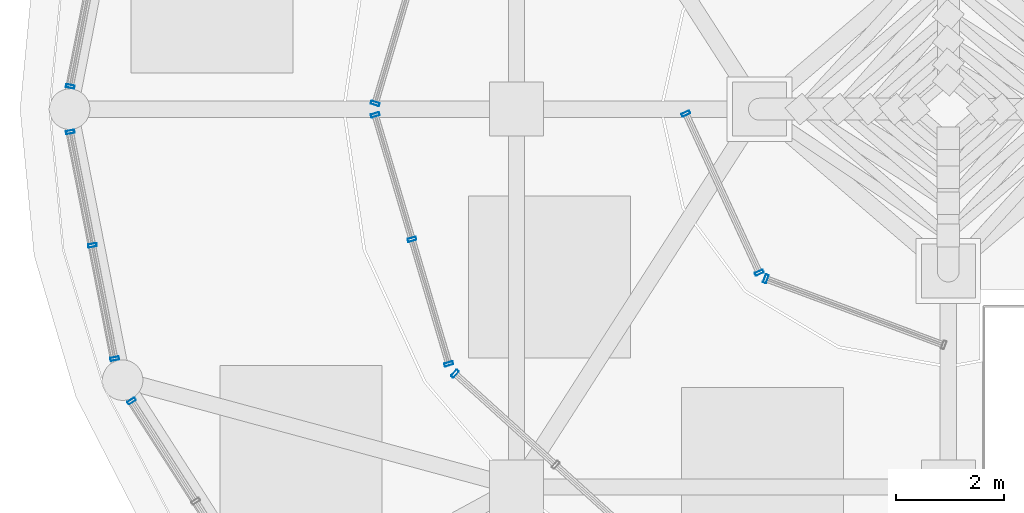
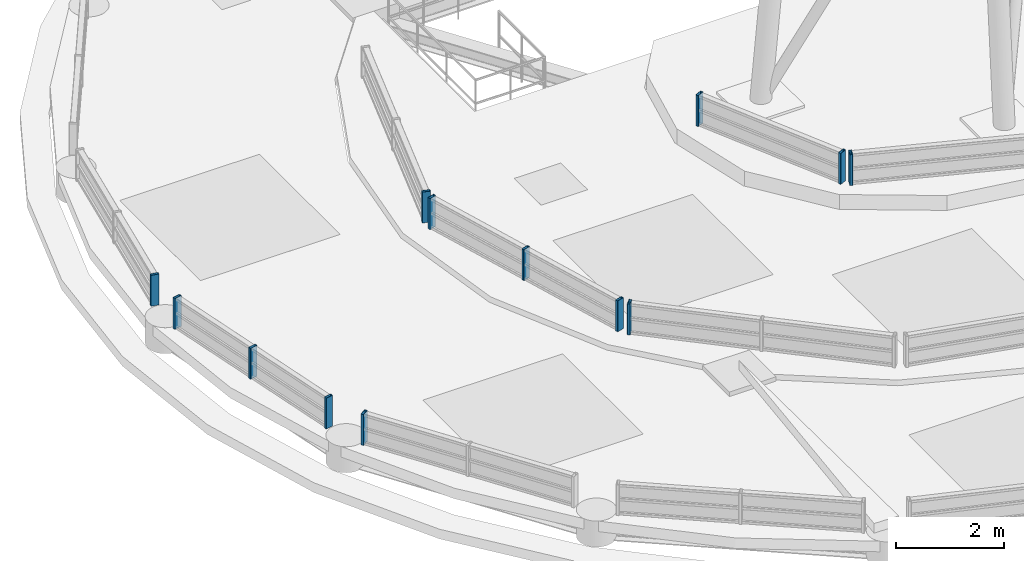
# One storey, part 9 of 21: 13 members, 8 elements without a shape of their own.
"""IFC4 building model written with IfcOpenShell, lengths in metres."""

from ifc_helpers import new_model, si_unit, direction, frame, origin, origin_2d, place, context, subcontext, project, spatial, hollow_rectangle, extrude, material, layer, layer_set, material_profile, profile_set, type_object, element, aggregate, save


model = new_model("IFC4")

# Units and contexts
model_context = context("Model", 3, precision=1e-05, world=origin(), true_north=direction((0.0, 1.0)))
body_context = subcontext(model_context, "Body", "Model", "MODEL_VIEW")
ifc_project = project(units=[si_unit("LENGTHUNIT", "METRE"), si_unit("AREAUNIT", "SQUARE_METRE"), si_unit("VOLUMEUNIT", "CUBIC_METRE"), si_unit("PLANEANGLEUNIT", "RADIAN"), si_unit("MASSUNIT", "GRAM", prefix="KILO")], contexts=[model_context])

# Site, building, storey
site_placement = place(None, origin())
site = spatial("IfcSite", under=ifc_project, at=site_placement, CompositionType="ELEMENT")
building_placement = place(site_placement, origin())
building = spatial("IfcBuilding", under=site, at=building_placement, Name="Kelanora Arch Commons", CompositionType="ELEMENT")
storey_placement = place(building_placement, frame((0.0, 0.0, 311.10009765625)))
storey = spatial("IfcBuildingStorey", under=building, at=storey_placement, Name="RF", CompositionType="ELEMENT", Elevation=311.10009765625)

# Curtain wall, member
ifc_material_1 = material(Name="Terracotta ceramic-fritted low-E glass and aluminium", Category="masonry")
ifc_layer = layer(ifc_material_1, 0.14990234375)
ifc_layer_set = layer_set([ifc_layer], Name="Terracotta ceramic-fritted low-E glass and aluminium")
curtain_wall_type = type_object("IfcCurtainWallType", Name="CW-SYS-06", PredefinedType="NOTDEFINED", material=ifc_layer_set)
curtain_wall_1_placement = place(storey_placement, origin())
curtain_wall_1 = element("IfcCurtainWall", 1, at=curtain_wall_1_placement, inside=storey, type_object=curtain_wall_type, Name="Sloped Glass Crown Lantern T1-09", PredefinedType="NOTDEFINED")
ifc_material_2 = material(Name="Powder-coated aluminium terracotta", Category="masonry")
ifc_material_profile = material_profile(ifc_material_2, hollow_rectangle(XDim=0.159912109375, YDim=0.06005859375, WallThickness=0.0048828125, InnerFilletRadius=0.0048828125, OuterFilletRadius=0.010009765625, at=origin_2d()), Name="CWM160x60")
ifc_profile_set = profile_set([ifc_material_profile], Name="Powder-coated aluminium terracotta")
member_type = type_object("IfcMemberType", Name="CWM-STD", PredefinedType="MULLION", material=ifc_profile_set)
member_1_placement = place(storey_placement, frame((57.732421875, 58.422119140625, 0.58984375), z_axis=(0.0, 0.0, 1.0), x_axis=(0.98142737239, -0.191834076021, 0.0)))
member_1 = element("IfcMember", 2, at=member_1_placement, type_object=member_type, Name="CW-06 mullion 3", PredefinedType="MULLION", context=body_context, shape_type="SweptSolid", body=[
    extrude(hollow_rectangle(XDim=0.159912109375, YDim=0.06005859375, WallThickness=0.0048828125, InnerFilletRadius=0.0048828125, OuterFilletRadius=0.010009765625, at=origin_2d()), origin(), (0.0, 0.0, 1.0), 0.699951171875),
])
aggregate(curtain_wall_1, [member_1])

# Curtain wall, members
curtain_wall_2_placement = place(storey_placement, origin())
curtain_wall_2 = element("IfcCurtainWall", 3, at=curtain_wall_2_placement, inside=storey, type_object=curtain_wall_type, Name="Sloped Glass Crown Lantern T1-10", PredefinedType="NOTDEFINED")
member_2_placement = place(storey_placement, frame((57.732421875, 57.577880859375, 0.58984375), z_axis=(0.0, 0.0, 1.0), x_axis=(0.98142737239, 0.191834076021, 0.0)))
member_2 = element("IfcMember", 4, at=member_2_placement, type_object=member_type, Name="CW-06 mullion 1", PredefinedType="MULLION", context=body_context, shape_type="SweptSolid", body=[
    extrude(hollow_rectangle(XDim=0.159912109375, YDim=0.06005859375, WallThickness=0.0048828125, InnerFilletRadius=0.0048828125, OuterFilletRadius=0.010009765625, at=origin_2d()), origin(), (0.0, 0.0, 1.0), 0.699951171875),
])
member_3_placement = place(storey_placement, frame((58.14306640625, 55.4775390625, 0.58984375), z_axis=(0.0, 0.0, 1.0), x_axis=(0.98142737239, 0.191834076021, 0.0)))
member_3 = element("IfcMember", 5, at=member_3_placement, type_object=member_type, Name="CW-06 mullion 2", PredefinedType="MULLION", context=body_context, shape_type="SweptSolid", body=[
    extrude(hollow_rectangle(XDim=0.159912109375, YDim=0.06005859375, WallThickness=0.0048828125, InnerFilletRadius=0.0048828125, OuterFilletRadius=0.010009765625, at=origin_2d()), origin(), (0.0, 0.0, 1.0), 0.699951171875),
])
member_4_placement = place(storey_placement, frame((58.553466796875, 53.377197265625, 0.58984375), z_axis=(0.0, 0.0, 1.0), x_axis=(0.98142737239, 0.191834076021, 0.0)))
member_4 = element("IfcMember", 6, at=member_4_placement, type_object=member_type, Name="CW-06 mullion 3", PredefinedType="MULLION", context=body_context, shape_type="SweptSolid", body=[
    extrude(hollow_rectangle(XDim=0.159912109375, YDim=0.06005859375, WallThickness=0.0048828125, InnerFilletRadius=0.0048828125, OuterFilletRadius=0.010009765625, at=origin_2d()), origin(), (0.0, 0.0, 1.0), 0.699951171875),
])
aggregate(curtain_wall_2, [member_2, member_3, member_4])

# Curtain wall, member
curtain_wall_3_placement = place(storey_placement, origin())
curtain_wall_3 = element("IfcCurtainWall", 7, at=curtain_wall_3_placement, inside=storey, type_object=curtain_wall_type, Name="Sloped Glass Crown Lantern T1-11", PredefinedType="NOTDEFINED")
member_5_placement = place(storey_placement, frame((58.86767578125, 52.593017578125, 0.58984375), z_axis=(0.0, 0.0, 1.0), x_axis=(0.842271400663, 0.539053696421, 0.0)))
member_5 = element("IfcMember", 8, at=member_5_placement, type_object=member_type, Name="CW-06 mullion 1", PredefinedType="MULLION", context=body_context, shape_type="SweptSolid", body=[
    extrude(hollow_rectangle(XDim=0.159912109375, YDim=0.06005859375, WallThickness=0.0048828125, InnerFilletRadius=0.0048828125, OuterFilletRadius=0.010009765625, at=origin_2d()), origin(), (0.0, 0.0, 1.0), 0.699951171875),
])
aggregate(curtain_wall_3, [member_5])

curtain_wall_4_placement = place(storey_placement, origin())
curtain_wall_4 = element("IfcCurtainWall", 9, at=curtain_wall_4_placement, inside=storey, type_object=curtain_wall_type, Name="Sloped Glass Crown Lantern T2-06", PredefinedType="NOTDEFINED")
member_6_placement = place(storey_placement, frame((63.381103515625, 58.10546875, 0.68994140625), z_axis=(0.0, 0.0, 1.0), x_axis=(0.958953283156, -0.283564103379, 0.0)))
member_6 = element("IfcMember", 10, at=member_6_placement, type_object=member_type, Name="CW-06 mullion 3", PredefinedType="MULLION", context=body_context, shape_type="SweptSolid", body=[
    extrude(hollow_rectangle(XDim=0.159912109375, YDim=0.06005859375, WallThickness=0.0048828125, InnerFilletRadius=0.0048828125, OuterFilletRadius=0.010009765625, at=origin_2d()), origin(), (0.0, 0.0, 1.0), 0.699951171875),
])
aggregate(curtain_wall_4, [member_6])

# Curtain wall, members
curtain_wall_5_placement = place(storey_placement, origin())
curtain_wall_5 = element("IfcCurtainWall", 11, at=curtain_wall_5_placement, inside=storey, type_object=curtain_wall_type, Name="Sloped Glass Crown Lantern T2-07", PredefinedType="NOTDEFINED")
member_7_placement = place(storey_placement, frame((63.381103515625, 57.89453125, 0.68994140625), z_axis=(0.0, 0.0, 1.0), x_axis=(0.958953283156, 0.283564103379, 0.0)))
member_7 = element("IfcMember", 12, at=member_7_placement, type_object=member_type, Name="CW-06 mullion 1", PredefinedType="MULLION", context=body_context, shape_type="SweptSolid", body=[
    extrude(hollow_rectangle(XDim=0.159912109375, YDim=0.06005859375, WallThickness=0.0048828125, InnerFilletRadius=0.0048828125, OuterFilletRadius=0.010009765625, at=origin_2d()), origin(), (0.0, 0.0, 1.0), 0.699951171875),
])
member_8_placement = place(storey_placement, frame((64.0634765625, 55.58740234375, 0.68994140625), z_axis=(0.0, 0.0, 1.0), x_axis=(0.958953283156, 0.283564103379, 0.0)))
member_8 = element("IfcMember", 13, at=member_8_placement, type_object=member_type, Name="CW-06 mullion 2", PredefinedType="MULLION", context=body_context, shape_type="SweptSolid", body=[
    extrude(hollow_rectangle(XDim=0.159912109375, YDim=0.06005859375, WallThickness=0.0048828125, InnerFilletRadius=0.0048828125, OuterFilletRadius=0.010009765625, at=origin_2d()), origin(), (0.0, 0.0, 1.0), 0.699951171875),
])
member_9_placement = place(storey_placement, frame((64.74560546875, 53.280517578125, 0.68994140625), z_axis=(0.0, 0.0, 1.0), x_axis=(0.958953283156, 0.283564103379, 0.0)))
member_9 = element("IfcMember", 14, at=member_9_placement, type_object=member_type, Name="CW-06 mullion 3", PredefinedType="MULLION", context=body_context, shape_type="SweptSolid", body=[
    extrude(hollow_rectangle(XDim=0.159912109375, YDim=0.06005859375, WallThickness=0.0048828125, InnerFilletRadius=0.0048828125, OuterFilletRadius=0.010009765625, at=origin_2d()), origin(), (0.0, 0.0, 1.0), 0.699951171875),
])
aggregate(curtain_wall_5, [member_7, member_8, member_9])

# Curtain wall, member
curtain_wall_6_placement = place(storey_placement, origin())
curtain_wall_6 = element("IfcCurtainWall", 15, at=curtain_wall_6_placement, inside=storey, type_object=curtain_wall_type, Name="Sloped Glass Crown Lantern T2-08", PredefinedType="NOTDEFINED")
member_10_placement = place(storey_placement, frame((64.8583984375, 53.10107421875, 0.68994140625), z_axis=(0.0, 0.0, 1.0), x_axis=(0.671458868814, 0.741041825736, 0.0)))
member_10 = element("IfcMember", 16, at=member_10_placement, type_object=member_type, Name="CW-06 mullion 1", PredefinedType="MULLION", context=body_context, shape_type="SweptSolid", body=[
    extrude(hollow_rectangle(XDim=0.159912109375, YDim=0.06005859375, WallThickness=0.0048828125, InnerFilletRadius=0.0048828125, OuterFilletRadius=0.010009765625, at=origin_2d()), origin(), (0.0, 0.0, 1.0), 0.699951171875),
])
aggregate(curtain_wall_6, [member_10])

# Curtain wall, members
curtain_wall_7_placement = place(storey_placement, origin())
curtain_wall_7 = element("IfcCurtainWall", 17, at=curtain_wall_7_placement, inside=storey, type_object=curtain_wall_type, Name="Sloped Glass Crown Lantern T3-05", PredefinedType="NOTDEFINED")
member_11_placement = place(storey_placement, frame((69.1376953125, 57.918212890625, 1.0), z_axis=(0.0, 0.0, 1.0), x_axis=(0.908037267416, 0.418889389916, 0.0)))
member_11 = element("IfcMember", 18, at=member_11_placement, type_object=member_type, Name="CW-06 mullion 1", PredefinedType="MULLION", context=body_context, shape_type="SweptSolid", body=[
    extrude(hollow_rectangle(XDim=0.159912109375, YDim=0.06005859375, WallThickness=0.0048828125, InnerFilletRadius=0.0048828125, OuterFilletRadius=0.010009765625, at=origin_2d()), origin(), (0.0, 0.0, 1.0), 0.699951171875),
])
member_12_placement = place(storey_placement, frame((70.49755859375, 54.970458984375, 1.0), z_axis=(0.0, 0.0, 1.0), x_axis=(0.908037267416, 0.418889389916, 0.0)))
member_12 = element("IfcMember", 19, at=member_12_placement, type_object=member_type, Name="CW-06 mullion 2", PredefinedType="MULLION", context=body_context, shape_type="SweptSolid", body=[
    extrude(hollow_rectangle(XDim=0.159912109375, YDim=0.06005859375, WallThickness=0.0048828125, InnerFilletRadius=0.0048828125, OuterFilletRadius=0.010009765625, at=origin_2d()), origin(), (0.0, 0.0, 1.0), 0.699951171875),
])
aggregate(curtain_wall_7, [member_11, member_12])

# Curtain wall, member
curtain_wall_8_placement = place(storey_placement, origin())
curtain_wall_8 = element("IfcCurtainWall", 20, at=curtain_wall_8_placement, inside=storey, type_object=curtain_wall_type, Name="Sloped Glass Crown Lantern T3-06", PredefinedType="NOTDEFINED")
member_13_placement = place(storey_placement, frame((70.61962890625, 54.857421875, 1.0), z_axis=(0.0, 0.0, 1.0), x_axis=(0.348609776809, 0.937267957157, 0.0)))
member_13 = element("IfcMember", 21, at=member_13_placement, type_object=member_type, Name="CW-06 mullion 1", PredefinedType="MULLION", context=body_context, shape_type="SweptSolid", body=[
    extrude(hollow_rectangle(XDim=0.159912109375, YDim=0.06005859375, WallThickness=0.0048828125, InnerFilletRadius=0.0048828125, OuterFilletRadius=0.010009765625, at=origin_2d()), origin(), (0.0, 0.0, 1.0), 0.699951171875),
])
aggregate(curtain_wall_8, [member_13])

save(model, "model.ifc")
